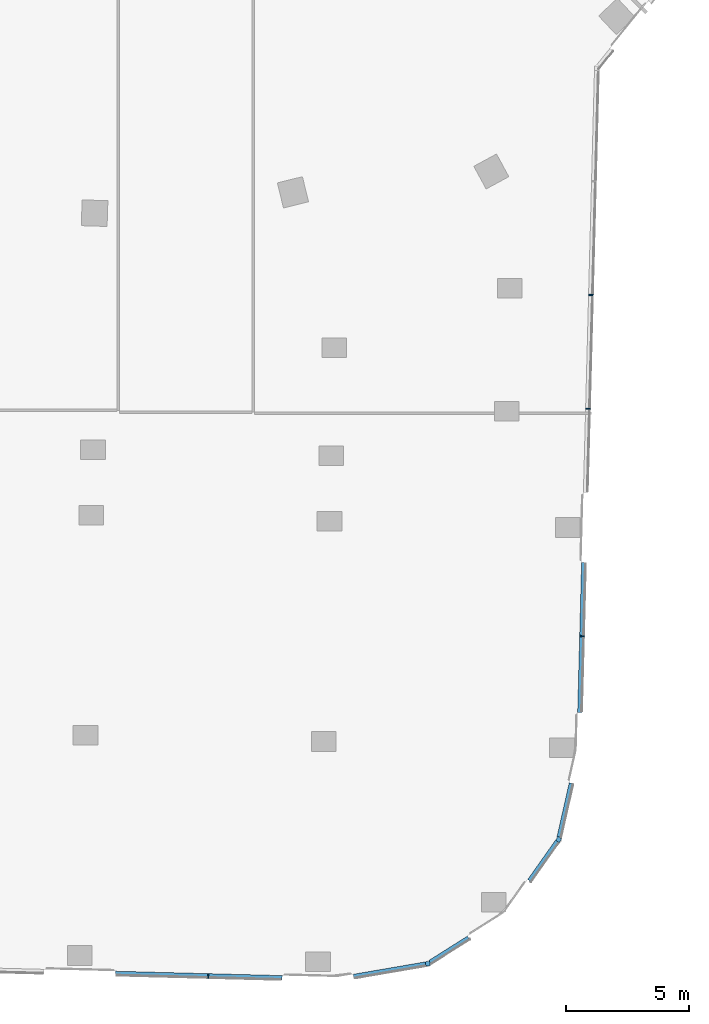
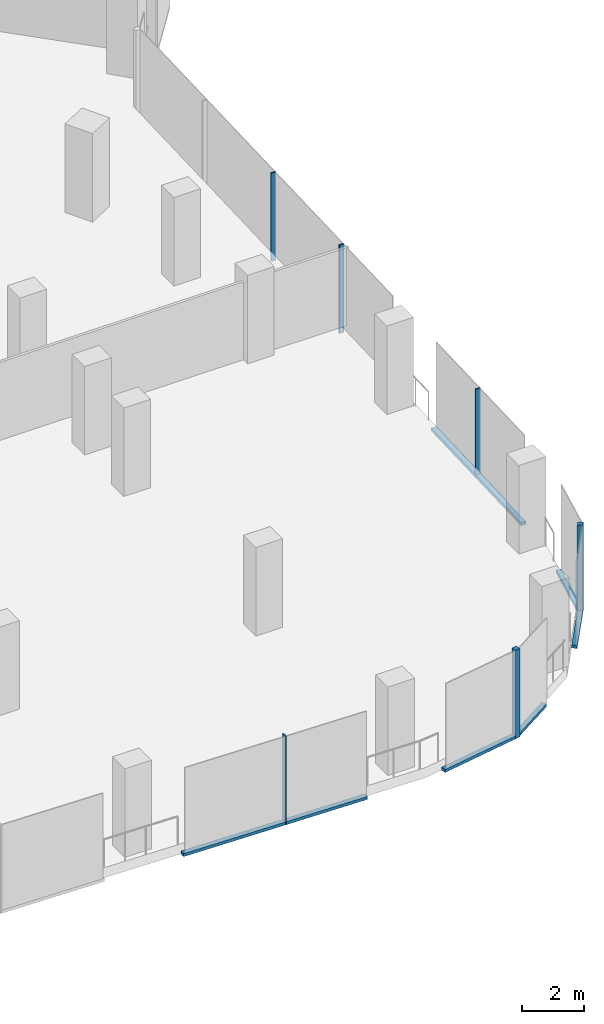
# One storey, part 3 of 24: 12 members, 6 elements without a shape of their own.
"""IFC4 building model written with IfcOpenShell, lengths in metres."""

from ifc_helpers import new_model, si_unit, direction, frame, origin, origin_2d, place, context, subcontext, project, spatial, rectangle, extrude, material, material_profile, profile_set, type_object, element, aggregate, save


model = new_model("IFC4")

# Units and contexts
model_context = context("Model", 3, precision=1e-05, world=origin(), true_north=direction((0.0, 1.0)))
body_context = subcontext(model_context, "Body", "Model", "MODEL_VIEW")
ifc_project = project(units=[si_unit("LENGTHUNIT", "METRE"), si_unit("AREAUNIT", "SQUARE_METRE"), si_unit("VOLUMEUNIT", "CUBIC_METRE"), si_unit("PLANEANGLEUNIT", "RADIAN"), si_unit("MASSUNIT", "GRAM", prefix="KILO")], contexts=[model_context])

# Site, building, storey
site_placement = place(None, origin())
site = spatial("IfcSite", under=ifc_project, at=site_placement, CompositionType="ELEMENT")
building_placement = place(site_placement, origin())
building = spatial("IfcBuilding", under=site, at=building_placement, Name="Orlundy Tower", CompositionType="ELEMENT")
storey_placement = place(building_placement, frame((0.0, 0.0, 210.5)))
storey = spatial("IfcBuildingStorey", under=building, at=storey_placement, Name="L55", CompositionType="ELEMENT", Elevation=210.5)

# Curtain wall, member
ifc_material_1 = material(Name="Aluminium bronze anodised", Category="aluminium")
curtain_wall_type = type_object("IfcCurtainWallType", Name="CW1 wall", PredefinedType="NOTDEFINED", material=ifc_material_1)
curtain_wall_1_placement = place(storey_placement, origin())
curtain_wall_1 = element("IfcCurtainWall", 1, at=curtain_wall_1_placement, inside=storey, type_object=curtain_wall_type, Name="CW1 run 020", PredefinedType="NOTDEFINED")
ifc_material_2 = material(Name="Aluminium bronze anodised", Category="aluminium")
ifc_material_profile_1 = material_profile(ifc_material_2, rectangle(XDim=0.179931640625, YDim=0.179931640625, at=origin_2d()), Name="CW1 corner post 180x180")
ifc_profile_set_1 = profile_set([ifc_material_profile_1], Name="Aluminium bronze anodised")
member_type_1 = type_object("IfcMemberType", Name="CW1 corner post 180x180", PredefinedType="MULLION", material=ifc_profile_set_1)
member_1_placement = place(storey_placement, frame((17.923828125, -55.158203125, -0.39990234375), z_axis=(0.0, 0.0, 1.0), x_axis=(0.816676153518, -0.577096231381, 0.0)))
member_1 = element("IfcMember", 2, at=member_1_placement, type_object=member_type_1, Name="CW1 mullion 50", PredefinedType="MULLION", context=body_context, shape_type="SweptSolid", body=[
    extrude(rectangle(XDim=0.179931640625, YDim=0.179931640625, at=origin_2d()), origin(), (0.0, 0.0, 1.0), 3.5),
])

curtain_wall_2_placement = place(storey_placement, origin())
curtain_wall_2 = element("IfcCurtainWall", 3, at=curtain_wall_2_placement, inside=storey, type_object=curtain_wall_type, Name="CW1 run 022", PredefinedType="NOTDEFINED")
member_2_placement = place(storey_placement, frame((12.598876953125, -60.211669921875, -0.39990234375), z_axis=(0.0, 0.0, 1.0), x_axis=(0.169428066085, -0.985542556373, 0.0)))
member_2 = element("IfcMember", 4, at=member_2_placement, type_object=member_type_1, Name="CW1 mullion 52", PredefinedType="MULLION", context=body_context, shape_type="SweptSolid", body=[
    extrude(rectangle(XDim=0.179931640625, YDim=0.179931640625, at=origin_2d()), origin(), (0.0, 0.0, 1.0), 3.5),
])

# Curtain wall, members
curtain_wall_3_placement = place(storey_placement, origin())
curtain_wall_3 = element("IfcCurtainWall", 5, at=curtain_wall_3_placement, inside=storey, type_object=curtain_wall_type, Name="CW1 run 018", PredefinedType="NOTDEFINED")
ifc_material_3 = material(Name="Aluminium bronze anodised", Category="aluminium")
ifc_material_profile_2 = material_profile(ifc_material_3, rectangle(XDim=0.179931640625, YDim=0.050048828125, at=origin_2d()), Name="CW1 mullion 50x180")
ifc_profile_set_2 = profile_set([ifc_material_profile_2], Name="Aluminium bronze anodised")
member_type_2 = type_object("IfcMemberType", Name="CW1 mullion 50x180", PredefinedType="MULLION", material=ifc_profile_set_2)
member_3_placement = place(storey_placement, frame((19.232666015625, -32.99169921875, -0.39990234375), z_axis=(0.0, 0.0, 1.0), x_axis=(0.999657620616, -0.026165655813, 0.0)))
member_3 = element("IfcMember", 6, at=member_3_placement, type_object=member_type_2, Name="CW1 mullion 45", PredefinedType="MULLION", context=body_context, shape_type="SweptSolid", body=[
    extrude(rectangle(XDim=0.179931640625, YDim=0.050048828125, at=origin_2d()), origin(), (0.0, 0.0, 1.0), 3.5),
])
member_4_placement = place(storey_placement, frame((19.111572265625, -37.620849609375, -0.39990234375), z_axis=(0.0, 0.0, 1.0), x_axis=(0.999657620616, -0.026165655813, 0.0)))
member_4 = element("IfcMember", 7, at=member_4_placement, type_object=member_type_2, Name="CW1 mullion 46", PredefinedType="MULLION", context=body_context, shape_type="SweptSolid", body=[
    extrude(rectangle(XDim=0.179931640625, YDim=0.050048828125, at=origin_2d()), origin(), (0.0, 0.0, 1.0), 3.5),
])
member_5_placement = place(storey_placement, frame((18.869140625, -46.879150390625, -0.39990234375), z_axis=(0.0, 0.0, 1.0), x_axis=(0.999657620616, -0.026165655813, 0.0)))
member_5 = element("IfcMember", 8, at=member_5_placement, type_object=member_type_2, Name="CW1 mullion 48", PredefinedType="MULLION", context=body_context, shape_type="SweptSolid", body=[
    extrude(rectangle(XDim=0.179931640625, YDim=0.050048828125, at=origin_2d()), origin(), (0.0, 0.0, 1.0), 3.5),
])

# Curtain wall, member
curtain_wall_4_placement = place(storey_placement, origin())
curtain_wall_4 = element("IfcCurtainWall", 9, at=curtain_wall_4_placement, inside=storey, type_object=curtain_wall_type, Name="CW1 run 023", PredefinedType="NOTDEFINED")
member_6_placement = place(storey_placement, frame((3.662353515625, -60.70654296875, -0.39990234375), z_axis=(0.0, 0.0, 1.0), x_axis=(-0.026190222342, -0.999656977295, 0.0)))
member_6 = element("IfcMember", 10, at=member_6_placement, type_object=member_type_2, Name="CW1 mullion 54", PredefinedType="MULLION", context=body_context, shape_type="SweptSolid", body=[
    extrude(rectangle(XDim=0.179931640625, YDim=0.050048828125, at=origin_2d()), origin(), (0.0, 0.0, 1.0), 3.5),
])

# Member
ifc_material_4 = material(Name="Aluminium bronze anodised", Category="aluminium")
ifc_material_profile_3 = material_profile(ifc_material_4, rectangle(XDim=0.179931640625, YDim=0.1201171875, at=origin_2d()), Name="CW1 transom 180x120")
ifc_profile_set_3 = profile_set([ifc_material_profile_3], Name="Aluminium bronze anodised")
member_type_3 = type_object("IfcMemberType", Name="CW1 transom 180x120", PredefinedType="USERDEFINED", material=ifc_profile_set_3)
member_7_placement = place(storey_placement, frame((18.947509765625, -43.881591796875, -0.340087890625), z_axis=(-0.02616360329, -0.999657674338, 0.0), x_axis=(0.999657674338, -0.02616360329, 0.0)))
member_7 = element("IfcMember", 11, at=member_7_placement, type_object=member_type_3, Name="CW1 transom", ObjectType="TRANSOM", PredefinedType="USERDEFINED", context=body_context, shape_type="SweptSolid", body=[
    extrude(rectangle(XDim=0.179931640625, YDim=0.1201171875, at=origin_2d()), origin(), (0.0, 0.0, 1.0), 6.102783203125),
])

aggregate(curtain_wall_3, [member_3, member_4, member_5, member_7])

# Curtain wall, member
curtain_wall_5_placement = place(storey_placement, origin())
curtain_wall_5 = element("IfcCurtainWall", 12, at=curtain_wall_5_placement, inside=storey, type_object=curtain_wall_type, Name="CW1 run 019", PredefinedType="NOTDEFINED")
member_8_placement = place(storey_placement, frame((18.442626953125, -52.865966796875, -0.340087890625), z_axis=(-0.220749796563, -0.975330470824, 0.0), x_axis=(0.975330470824, -0.220749796563, 0.0)))
member_8 = element("IfcMember", 13, at=member_8_placement, type_object=member_type_3, Name="CW1 transom", ObjectType="TRANSOM", PredefinedType="USERDEFINED", context=body_context, shape_type="SweptSolid", body=[
    extrude(rectangle(XDim=0.179931640625, YDim=0.1201171875, at=origin_2d()), origin(), (0.0, 0.0, 1.0), 2.2529296875),
])
aggregate(curtain_wall_5, [member_8])

# Member
member_9_placement = place(storey_placement, frame((17.871826171875, -55.23193359375, -0.340087890625), z_axis=(-0.577108412174, -0.816667545944, 0.0), x_axis=(0.816667545944, -0.577108412174, 0.0)))
member_9 = element("IfcMember", 14, at=member_9_placement, type_object=member_type_3, Name="CW1 transom", ObjectType="TRANSOM", PredefinedType="USERDEFINED", context=body_context, shape_type="SweptSolid", body=[
    extrude(rectangle(XDim=0.179931640625, YDim=0.1201171875, at=origin_2d()), origin(), (0.0, 0.0, 1.0), 1.960693359375),
])

aggregate(curtain_wall_1, [member_1, member_9])

# Curtain wall, member
curtain_wall_6_placement = place(storey_placement, origin())
curtain_wall_6 = element("IfcCurtainWall", 15, at=curtain_wall_6_placement, inside=storey, type_object=curtain_wall_type, Name="CW1 run 021", PredefinedType="NOTDEFINED")
member_10_placement = place(storey_placement, frame((14.257568359375, -59.165283203125, -0.340087890625), z_axis=(-0.845790689162, -0.533514864017, 0.0), x_axis=(0.533514864017, -0.845790689162, 0.0)))
member_10 = element("IfcMember", 16, at=member_10_placement, type_object=member_type_3, Name="CW1 transom", ObjectType="TRANSOM", PredefinedType="USERDEFINED", context=body_context, shape_type="SweptSolid", body=[
    extrude(rectangle(XDim=0.179931640625, YDim=0.1201171875, at=origin_2d()), origin(), (0.0, 0.0, 1.0), 1.86376953125),
])
aggregate(curtain_wall_6, [member_10])

# Member
member_11_placement = place(storey_placement, frame((12.51025390625, -60.226806640625, -0.340087890625), z_axis=(-0.985538374918, -0.169452387307, 0.0), x_axis=(0.169452387307, -0.985538374918, 0.0)))
member_11 = element("IfcMember", 17, at=member_11_placement, type_object=member_type_3, Name="CW1 transom", ObjectType="TRANSOM", PredefinedType="USERDEFINED", context=body_context, shape_type="SweptSolid", body=[
    extrude(rectangle(XDim=0.179931640625, YDim=0.1201171875, at=origin_2d()), origin(), (0.0, 0.0, 1.0), 2.968017578125),
])

aggregate(curtain_wall_2, [member_2, member_11])

member_12_placement = place(storey_placement, frame((6.6728515625, -60.785400390625, -0.340087890625), z_axis=(-0.999656925513, 0.026192198732, 0.0), x_axis=(-0.026192198732, -0.999656925513, 0.0)))
member_12 = element("IfcMember", 18, at=member_12_placement, type_object=member_type_3, Name="CW1 transom", ObjectType="TRANSOM", PredefinedType="USERDEFINED", context=body_context, shape_type="SweptSolid", body=[
    extrude(rectangle(XDim=0.179931640625, YDim=0.1201171875, at=origin_2d()), origin(), (0.0, 0.0, 1.0), 6.785888671875),
])

aggregate(curtain_wall_4, [member_6, member_12])

save(model, "model.ifc")
